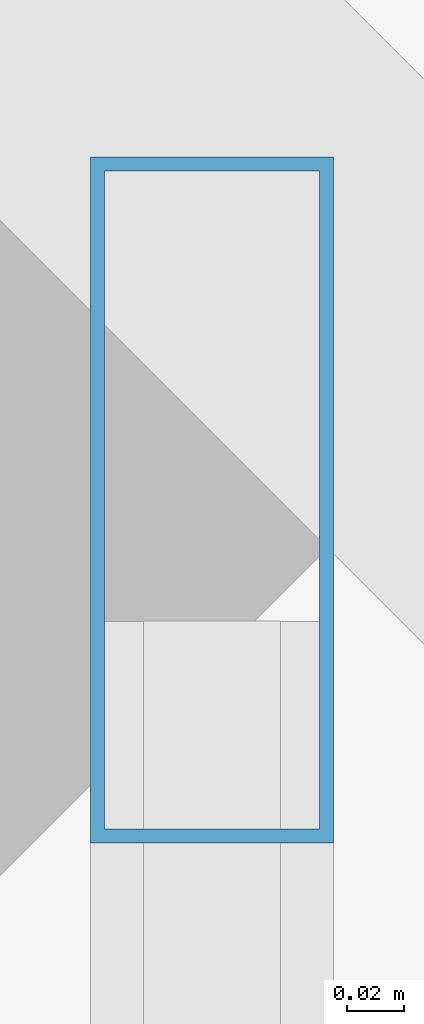
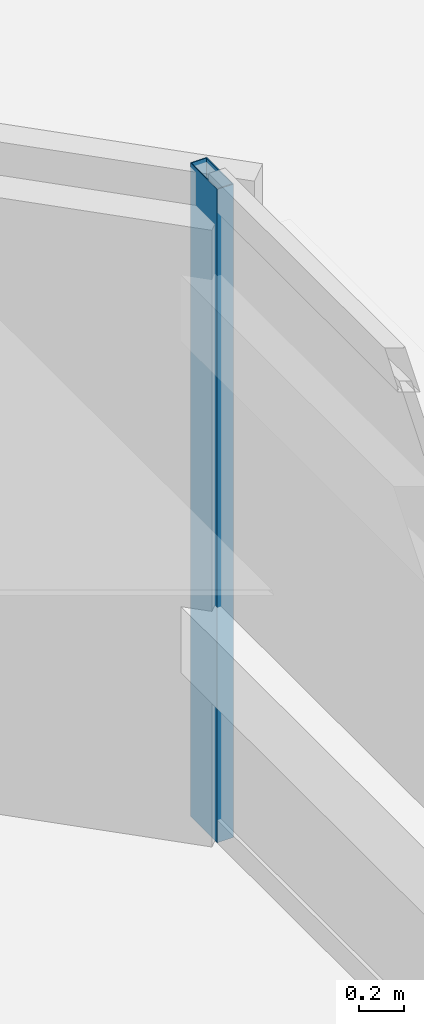
# One storey, part 49 of 83: 1 member, 1 element without a shape of its own.
"""IFC4 building model written with IfcOpenShell, lengths in metres."""

from ifc_helpers import new_model, si_unit, direction, frame, origin, origin_2d, place, context, subcontext, project, spatial, hollow_rectangle, extrude, material, material_profile, profile_set, type_object, element, aggregate, save


model = new_model("IFC4")

# Units and contexts
model_context = context("Model", 3, precision=1e-05, world=origin(), true_north=direction((0.0, 1.0)))
body_context = subcontext(model_context, "Body", "Model", "MODEL_VIEW")
ifc_project = project(units=[si_unit("LENGTHUNIT", "METRE"), si_unit("AREAUNIT", "SQUARE_METRE"), si_unit("VOLUMEUNIT", "CUBIC_METRE"), si_unit("PLANEANGLEUNIT", "RADIAN"), si_unit("MASSUNIT", "GRAM", prefix="KILO")], contexts=[model_context])

# Site, building, storey
site_placement = place(None, origin())
site = spatial("IfcSite", under=ifc_project, at=site_placement, CompositionType="ELEMENT")
building_placement = place(site_placement, origin())
building = spatial("IfcBuilding", under=site, at=building_placement, Name="Tashvorn Skyway Center", CompositionType="ELEMENT")
storey_placement = place(building_placement, frame((0.0, 0.0, 24.60009765625)))
storey = spatial("IfcBuildingStorey", under=building, at=storey_placement, Name="L05", CompositionType="ELEMENT", Elevation=24.60009765625)

# Curtain wall, member
ifc_material = material(Name="Thermally broken bronze-anodized aluminium 6063-T6", Category="aluminium")
curtain_wall_type = type_object("IfcCurtainWallType", Name="CW-CW-Z1", PredefinedType="NOTDEFINED", material=ifc_material)
curtain_wall_placement = place(storey_placement, origin())
curtain_wall = element("IfcCurtainWall", 1, at=curtain_wall_placement, inside=storey, type_object=curtain_wall_type, Name="Tower 1 L05 East Curtain Wall L", PredefinedType="NOTDEFINED")
ifc_material_profile = material_profile(ifc_material, hollow_rectangle(XDim=0.0849609375, YDim=0.239990234375, WallThickness=0.0048828125, at=origin_2d()), Name="ALU-MULL-85x240")
ifc_profile_set = profile_set([ifc_material_profile], Name="Thermally broken bronze-anodized aluminium 6063-T6")
member_type = type_object("IfcMemberType", Name="CWM-CW-Z1", PredefinedType="MULLION", material=ifc_profile_set)
member_placement = place(storey_placement, frame((64.8798828125, 51.83740234375, 0.0), z_axis=(0.0, 0.0, 1.0), x_axis=(1.0, 0.0, 0.0)))
member = element("IfcMember", 2, at=member_placement, type_object=member_type, Name="CW-Z1 mullion 1", PredefinedType="MULLION", context=body_context, shape_type="SweptSolid", body=[
    extrude(hollow_rectangle(XDim=0.0849609375, YDim=0.239990234375, WallThickness=0.0048828125, at=origin_2d()), origin(), (0.0, 0.0, 1.0), 3.5498046875),
])
aggregate(curtain_wall, [member])

save(model, "model.ifc")
